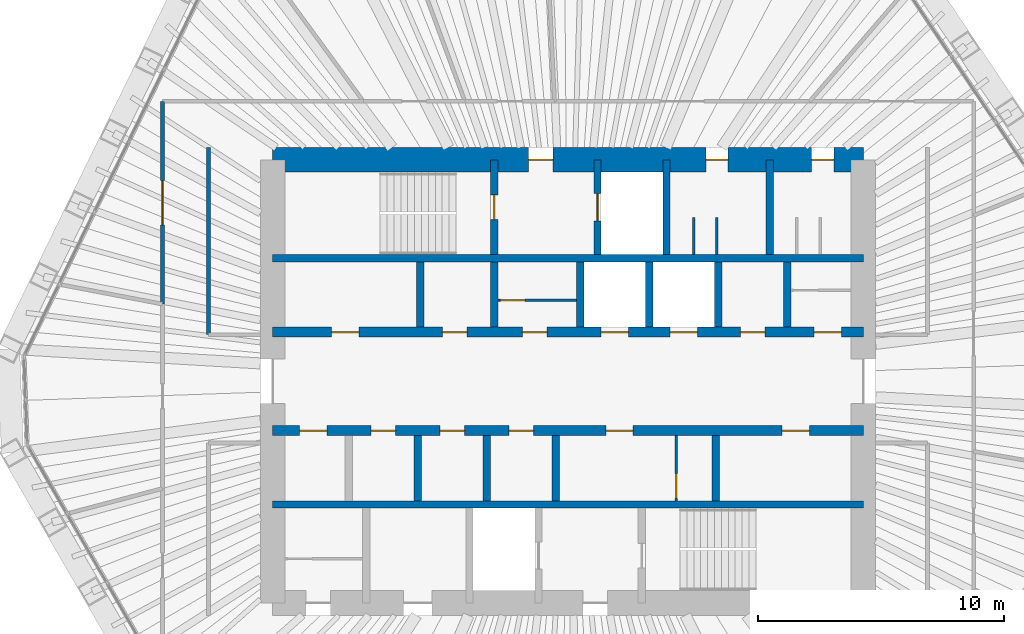
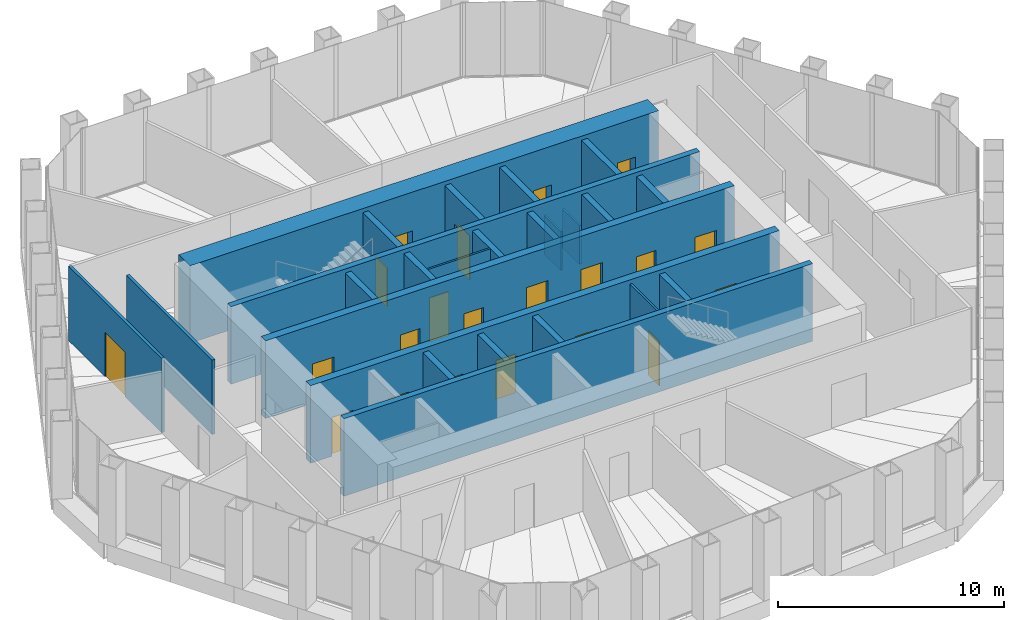
# One storey, part 12 of 14: 25 walls, 21 doors, 21 openings.
"""IFC4 building model written with IfcOpenShell, lengths in metres."""

from ifc_helpers import new_model, si_unit, direction, frame, frame_2d, origin, place, context, subcontext, project, spatial, rectangle, extrude, material, layer, layer_set, type_object, element, fill, save


model = new_model("IFC4")

# Units and contexts
model_context = context("Model", 3, precision=1e-05, world=origin(), true_north=direction((0.0, 1.0)))
body_context = subcontext(model_context, "Body", "Model", "MODEL_VIEW")
ifc_project = project(units=[si_unit("LENGTHUNIT", "METRE"), si_unit("AREAUNIT", "SQUARE_METRE"), si_unit("VOLUMEUNIT", "CUBIC_METRE"), si_unit("PLANEANGLEUNIT", "RADIAN"), si_unit("MASSUNIT", "GRAM", prefix="KILO")], contexts=[model_context])

# Site, building, storey
site_placement = place(None, origin())
site = spatial("IfcSite", under=ifc_project, at=site_placement, CompositionType="ELEMENT")
building_placement = place(site_placement, origin())
building = spatial("IfcBuilding", under=site, at=building_placement, Name="Qingtian Harvest Tower", CompositionType="ELEMENT")
storey_placement = place(building_placement, frame((0.0, 0.0, 270.39990234375)))
storey = spatial("IfcBuildingStorey", under=building, at=storey_placement, Name="L59", CompositionType="ELEMENT", Elevation=270.39990234375)

# Walls
ifc_material_1 = material(Name="Concrete fc' 70 MPa", Category="concrete")
ifc_layer_1 = layer(ifc_material_1, 0.300048828125)
ifc_layer_set_1 = layer_set([ifc_layer_1], Name="Core inner wall RC5 300")
wall_type_1 = type_object("IfcWallType", Name="Core inner wall RC5 300", PredefinedType="SHEAR", material=ifc_layer_set_1)
for number, where, z_axis, x_axis, name in (
    (1, (-12.0, 5.0, 0.0), (0.0, 0.0, 1.0), (1.0, 0.0, 0.0), "Core wall IN5 L59"),
    (2, (-12.0, -5.0, 0.0), (0.0, 0.0, 1.0), (1.0, 0.0, 0.0), "Core wall IS5 L59"),
):
    element("IfcWall", number, at=place(storey_placement, frame(where, z_axis=z_axis, x_axis=x_axis)), inside=storey, type_object=wall_type_1, Name=name, PredefinedType="SHEAR", context=body_context, shape_type="SweptSolid", body=[
        extrude(rectangle(XDim=24.0, YDim=0.300048828125, at=frame_2d((12.0, 0.0))), origin(), (0.0, 0.0, 1.0), 4.2001953125),
    ])

# Wall, openings, doors
ifc_material_2 = material(Name="Concrete fc' 70 MPa", Category="concrete")
ifc_layer_2 = layer(ifc_material_2, 0.39990234375)
ifc_layer_set_2 = layer_set([ifc_layer_2], Name="Core inner web RC6 400")
wall_type_2 = type_object("IfcWallType", Name="Core inner web RC6 400", PredefinedType="SHEAR", material=ifc_layer_set_2)
wall_1_placement = place(storey_placement, frame((-12.0, 2.0, 0.0), z_axis=(0.0, 0.0, 1.0), x_axis=(1.0, 0.0, 0.0)))
wall_1 = element("IfcWall", 3, at=wall_1_placement, inside=storey, type_object=wall_type_2, Name="Core wall IN2 L59", PredefinedType="SHEAR", context=body_context, shape_type="SweptSolid", body=[
    extrude(rectangle(XDim=24.0, YDim=0.39990234375, at=frame_2d((12.0, 0.0))), origin(), (0.0, 0.0, 1.0), 4.2001953125),
])
opening_1_placement = place(wall_1_placement, frame((2.39990234375, 0.0, 0.0)))
opening_1 = element("IfcOpeningElement", 4, at=opening_1_placement, cuts=wall_1, Name="Opening FD4", PredefinedType="OPENING", context=body_context, shape_type="SweptSolid", body=[
    extrude(rectangle(XDim=1.10009765625, YDim=2.10009765625, at=frame_2d((0.550048828125, 1.050048828125))), frame((0.0, 0.2099609375, 0.0), z_axis=(0.0, -1.0, 0.0), x_axis=(1.0, 0.0, 0.0)), (0.0, 0.0, 1.0), 0.419921875),
])
opening_2_placement = place(wall_1_placement, frame((22.0, 0.0, 0.0)))
opening_2 = element("IfcOpeningElement", 5, at=opening_2_placement, cuts=wall_1, Name="Opening FD4", PredefinedType="OPENING", context=body_context, shape_type="SweptSolid", body=[
    extrude(rectangle(XDim=1.10009765625, YDim=2.10009765625, at=frame_2d((0.550048828125, 1.050048828125))), frame((0.0, 0.2099609375, 0.0), z_axis=(0.0, -1.0, 0.0), x_axis=(1.0, 0.0, 0.0)), (0.0, 0.0, 1.0), 0.419921875),
])
opening_3_placement = place(wall_1_placement, frame((10.14990234375, 0.0, 0.0)))
opening_3 = element("IfcOpeningElement", 6, at=opening_3_placement, cuts=wall_1, Name="Opening FD1", PredefinedType="OPENING", context=body_context, shape_type="SweptSolid", body=[
    extrude(rectangle(XDim=1.0, YDim=2.10009765625, at=frame_2d((0.5, 1.050048828125))), frame((0.0, 0.2099609375, 0.0), z_axis=(0.0, -1.0, 0.0), x_axis=(1.0, 0.0, 0.0)), (0.0, 0.0, 1.0), 0.419921875),
])
opening_4_placement = place(wall_1_placement, frame((6.89990234375, 0.0, 0.0)))
opening_4 = element("IfcOpeningElement", 7, at=opening_4_placement, cuts=wall_1, Name="Opening FD1", PredefinedType="OPENING", context=body_context, shape_type="SweptSolid", body=[
    extrude(rectangle(XDim=1.0, YDim=2.10009765625, at=frame_2d((0.5, 1.050048828125))), frame((0.0, 0.2099609375, 0.0), z_axis=(0.0, -1.0, 0.0), x_axis=(1.0, 0.0, 0.0)), (0.0, 0.0, 1.0), 0.419921875),
])
opening_5_placement = place(wall_1_placement, frame((13.35009765625, 0.0, 0.0)))
opening_5 = element("IfcOpeningElement", 8, at=opening_5_placement, cuts=wall_1, Name="Opening LD1", PredefinedType="OPENING", context=body_context, shape_type="SweptSolid", body=[
    extrude(rectangle(XDim=1.10009765625, YDim=2.39990234375, at=frame_2d((0.550048828125, 1.199951171875))), frame((0.0, 0.2099609375, 0.0), z_axis=(0.0, -1.0, 0.0), x_axis=(1.0, 0.0, 0.0)), (0.0, 0.0, 1.0), 0.419921875),
])
opening_6_placement = place(wall_1_placement, frame((16.14990234375, 0.0, 0.0)))
opening_6 = element("IfcOpeningElement", 9, at=opening_6_placement, cuts=wall_1, Name="Opening LD1", PredefinedType="OPENING", context=body_context, shape_type="SweptSolid", body=[
    extrude(rectangle(XDim=1.10009765625, YDim=2.39990234375, at=frame_2d((0.550048828125, 1.199951171875))), frame((0.0, 0.2099609375, 0.0), z_axis=(0.0, -1.0, 0.0), x_axis=(1.0, 0.0, 0.0)), (0.0, 0.0, 1.0), 0.419921875),
])
opening_7_placement = place(wall_1_placement, frame((19.0, 0.0, 0.0)))
opening_7 = element("IfcOpeningElement", 10, at=opening_7_placement, cuts=wall_1, Name="Opening FD1", PredefinedType="OPENING", context=body_context, shape_type="SweptSolid", body=[
    extrude(rectangle(XDim=1.0, YDim=2.10009765625, at=frame_2d((0.5, 1.050048828125))), frame((0.0, 0.2099609375, 0.0), z_axis=(0.0, -1.0, 0.0), x_axis=(1.0, 0.0, 0.0)), (0.0, 0.0, 1.0), 0.419921875),
])
ifc_material_3 = material(Name="Steel-faced door leaf", Category="steel")
door_type_1 = type_object("IfcDoorType", Name="Fire door FD1 single 1 HR", OperationType="SINGLE_SWING_LEFT", PredefinedType="DOOR", material=ifc_material_3)
door_1_placement = place(opening_3_placement, origin())
door_1 = element("IfcDoor", 11, at=door_1_placement, inside=storey, type_object=door_type_1, Name="STA door L59", OperationType="SINGLE_SWING_RIGHT", OverallHeight=2.10009765625, OverallWidth=1.0, PredefinedType="DOOR", context=body_context, shape_type="SweptSolid", body=[
    extrude(rectangle(XDim=1.0, YDim=2.10009765625, at=frame_2d((0.5, 1.050048828125))), frame((0.0, 0.02490234375, 0.0), z_axis=(0.0, -1.0, 0.0), x_axis=(1.0, 0.0, 0.0)), (0.0, 0.0, 1.0), 0.050048828125),
])
fill(opening_3, door_1)
door_2_placement = place(opening_4_placement, origin())
door_2 = element("IfcDoor", 12, at=door_2_placement, inside=storey, type_object=door_type_1, Name="Staff WC door L59", OperationType="SINGLE_SWING_RIGHT", OverallHeight=2.10009765625, OverallWidth=1.0, PredefinedType="DOOR", context=body_context, shape_type="SweptSolid", body=[
    extrude(rectangle(XDim=1.0, YDim=2.10009765625, at=frame_2d((0.5, 1.050048828125))), frame((0.0, 0.02490234375, 0.0), z_axis=(0.0, -1.0, 0.0), x_axis=(1.0, 0.0, 0.0)), (0.0, 0.0, 1.0), 0.050048828125),
])
fill(opening_4, door_2)
door_3_placement = place(opening_7_placement, origin())
door_3 = element("IfcDoor", 13, at=door_3_placement, inside=storey, type_object=door_type_1, Name="Tool store door L59", OperationType="SINGLE_SWING_RIGHT", OverallHeight=2.10009765625, OverallWidth=1.0, PredefinedType="DOOR", context=body_context, shape_type="SweptSolid", body=[
    extrude(rectangle(XDim=1.0, YDim=2.10009765625, at=frame_2d((0.5, 1.050048828125))), frame((0.0, 0.02490234375, 0.0), z_axis=(0.0, -1.0, 0.0), x_axis=(1.0, 0.0, 0.0)), (0.0, 0.0, 1.0), 0.050048828125),
])
fill(opening_7, door_3)
ifc_material_4 = material(Name="Steel-faced door leaf", Category="steel")
door_type_2 = type_object("IfcDoorType", Name="Fire door FD4 single 2 HR", OperationType="SINGLE_SWING_LEFT", PredefinedType="DOOR", material=ifc_material_4)
door_4_placement = place(opening_1_placement, origin())
door_4 = element("IfcDoor", 14, at=door_4_placement, inside=storey, type_object=door_type_2, Name="RA door L59", OperationType="SINGLE_SWING_LEFT", OverallHeight=2.10009765625, OverallWidth=1.10009765625, PredefinedType="DOOR", context=body_context, shape_type="SweptSolid", body=[
    extrude(rectangle(XDim=1.10009765625, YDim=2.10009765625, at=frame_2d((0.550048828125, 1.050048828125))), frame((0.0, 0.02490234375, 0.0), z_axis=(0.0, -1.0, 0.0), x_axis=(1.0, 0.0, 0.0)), (0.0, 0.0, 1.0), 0.050048828125),
])
fill(opening_1, door_4)
door_5_placement = place(opening_2_placement, origin())
door_5 = element("IfcDoor", 15, at=door_5_placement, inside=storey, type_object=door_type_2, Name="AHU door L59", OperationType="SINGLE_SWING_LEFT", OverallHeight=2.10009765625, OverallWidth=1.10009765625, PredefinedType="DOOR", context=body_context, shape_type="SweptSolid", body=[
    extrude(rectangle(XDim=1.10009765625, YDim=2.10009765625, at=frame_2d((0.550048828125, 1.050048828125))), frame((0.0, 0.02490234375, 0.0), z_axis=(0.0, -1.0, 0.0), x_axis=(1.0, 0.0, 0.0)), (0.0, 0.0, 1.0), 0.050048828125),
])
fill(opening_2, door_5)
ifc_material_5 = material(Name="Stainless steel lift landing door", Category="steel")
door_type_3 = type_object("IfcDoorType", Name="Lift landing door LD1 1 HR", OperationType="DOUBLE_DOOR_SLIDING", PredefinedType="DOOR", material=ifc_material_5)
door_6_placement = place(opening_5_placement, origin())
door_6 = element("IfcDoor", 16, at=door_6_placement, inside=storey, type_object=door_type_3, Name="PLD1 landing door L59", OperationType="DOUBLE_DOOR_SLIDING", OverallHeight=2.39990234375, OverallWidth=1.10009765625, PredefinedType="DOOR", context=body_context, shape_type="SweptSolid", body=[
    extrude(rectangle(XDim=1.10009765625, YDim=2.39990234375, at=frame_2d((0.550048828125, 1.199951171875))), frame((0.0, 0.02490234375, 0.0), z_axis=(0.0, -1.0, 0.0), x_axis=(1.0, 0.0, 0.0)), (0.0, 0.0, 1.0), 0.050048828125),
])
fill(opening_5, door_6)
door_7_placement = place(opening_6_placement, origin())
door_7 = element("IfcDoor", 17, at=door_7_placement, inside=storey, type_object=door_type_3, Name="PLD2 landing door L59", OperationType="DOUBLE_DOOR_SLIDING", OverallHeight=2.39990234375, OverallWidth=1.10009765625, PredefinedType="DOOR", context=body_context, shape_type="SweptSolid", body=[
    extrude(rectangle(XDim=1.10009765625, YDim=2.39990234375, at=frame_2d((0.550048828125, 1.199951171875))), frame((0.0, 0.02490234375, 0.0), z_axis=(0.0, -1.0, 0.0), x_axis=(1.0, 0.0, 0.0)), (0.0, 0.0, 1.0), 0.050048828125),
])
fill(opening_6, door_7)

wall_2_placement = place(storey_placement, frame((-12.0, -2.0, 0.0), z_axis=(0.0, 0.0, 1.0), x_axis=(1.0, 0.0, 0.0)))
wall_2 = element("IfcWall", 18, at=wall_2_placement, inside=storey, type_object=wall_type_2, Name="Core wall IS2 L59", PredefinedType="SHEAR", context=body_context, shape_type="SweptSolid", body=[
    extrude(rectangle(XDim=24.0, YDim=0.39990234375, at=frame_2d((12.0, 0.0))), origin(), (0.0, 0.0, 1.0), 4.2001953125),
])
opening_8_placement = place(wall_2_placement, frame((1.10009765625, 0.0, 0.0)))
opening_8 = element("IfcOpeningElement", 19, at=opening_8_placement, cuts=wall_2, Name="Opening FD4", PredefinedType="OPENING", context=body_context, shape_type="SweptSolid", body=[
    extrude(rectangle(XDim=1.10009765625, YDim=2.10009765625, at=frame_2d((0.550048828125, 1.050048828125))), frame((0.0, 0.2099609375, 0.0), z_axis=(0.0, -1.0, 0.0), x_axis=(1.0, 0.0, 0.0)), (0.0, 0.0, 1.0), 0.419921875),
])
opening_9_placement = place(wall_2_placement, frame((13.550048828125, 0.0, 0.0)))
opening_9 = element("IfcOpeningElement", 20, at=opening_9_placement, cuts=wall_2, Name="Opening FD4", PredefinedType="OPENING", context=body_context, shape_type="SweptSolid", body=[
    extrude(rectangle(XDim=1.10009765625, YDim=2.10009765625, at=frame_2d((0.550048828125, 1.050048828125))), frame((0.0, 0.2099609375, 0.0), z_axis=(0.0, -1.0, 0.0), x_axis=(1.0, 0.0, 0.0)), (0.0, 0.0, 1.0), 0.419921875),
])
opening_10_placement = place(wall_2_placement, frame((20.699951171875, 0.0, 0.0)))
opening_10 = element("IfcOpeningElement", 21, at=opening_10_placement, cuts=wall_2, Name="Opening FD4", PredefinedType="OPENING", context=body_context, shape_type="SweptSolid", body=[
    extrude(rectangle(XDim=1.10009765625, YDim=2.10009765625, at=frame_2d((0.550048828125, 1.050048828125))), frame((0.0, 0.2099609375, 0.0), z_axis=(0.0, -1.0, 0.0), x_axis=(1.0, 0.0, 0.0)), (0.0, 0.0, 1.0), 0.419921875),
])
opening_11_placement = place(wall_2_placement, frame((4.0, 0.0, 0.0)))
opening_11 = element("IfcOpeningElement", 22, at=opening_11_placement, cuts=wall_2, Name="Opening FD1", PredefinedType="OPENING", context=body_context, shape_type="SweptSolid", body=[
    extrude(rectangle(XDim=1.0, YDim=2.10009765625, at=frame_2d((0.5, 1.050048828125))), frame((0.0, 0.2099609375, 0.0), z_axis=(0.0, -1.0, 0.0), x_axis=(1.0, 0.0, 0.0)), (0.0, 0.0, 1.0), 0.419921875),
])
opening_12_placement = place(wall_2_placement, frame((6.800048828125, 0.0, 0.0)))
opening_12 = element("IfcOpeningElement", 23, at=opening_12_placement, cuts=wall_2, Name="Opening FD1", PredefinedType="OPENING", context=body_context, shape_type="SweptSolid", body=[
    extrude(rectangle(XDim=1.0, YDim=2.10009765625, at=frame_2d((0.5, 1.050048828125))), frame((0.0, 0.2099609375, 0.0), z_axis=(0.0, -1.0, 0.0), x_axis=(1.0, 0.0, 0.0)), (0.0, 0.0, 1.0), 0.419921875),
])
opening_13_placement = place(wall_2_placement, frame((9.60009765625, 0.0, 0.0)))
opening_13 = element("IfcOpeningElement", 24, at=opening_13_placement, cuts=wall_2, Name="Opening FD1", PredefinedType="OPENING", context=body_context, shape_type="SweptSolid", body=[
    extrude(rectangle(XDim=1.0, YDim=2.10009765625, at=frame_2d((0.5, 1.050048828125))), frame((0.0, 0.2099609375, 0.0), z_axis=(0.0, -1.0, 0.0), x_axis=(1.0, 0.0, 0.0)), (0.0, 0.0, 1.0), 0.419921875),
])
door_8_placement = place(opening_11_placement, origin())
door_8 = element("IfcDoor", 25, at=door_8_placement, inside=storey, type_object=door_type_1, Name="IT room door L59", OperationType="SINGLE_SWING_RIGHT", OverallHeight=2.10009765625, OverallWidth=1.0, PredefinedType="DOOR", context=body_context, shape_type="SweptSolid", body=[
    extrude(rectangle(XDim=1.0, YDim=2.10009765625, at=frame_2d((0.5, 1.050048828125))), frame((0.0, 0.02490234375, 0.0), z_axis=(0.0, -1.0, 0.0), x_axis=(1.0, 0.0, 0.0)), (0.0, 0.0, 1.0), 0.050048828125),
])
fill(opening_11, door_8)
door_9_placement = place(opening_12_placement, origin())
door_9 = element("IfcDoor", 26, at=door_9_placement, inside=storey, type_object=door_type_1, Name="Store door L59", OperationType="SINGLE_SWING_RIGHT", OverallHeight=2.10009765625, OverallWidth=1.0, PredefinedType="DOOR", context=body_context, shape_type="SweptSolid", body=[
    extrude(rectangle(XDim=1.0, YDim=2.10009765625, at=frame_2d((0.5, 1.050048828125))), frame((0.0, 0.02490234375, 0.0), z_axis=(0.0, -1.0, 0.0), x_axis=(1.0, 0.0, 0.0)), (0.0, 0.0, 1.0), 0.050048828125),
])
fill(opening_12, door_9)
door_10_placement = place(opening_13_placement, origin())
door_10 = element("IfcDoor", 27, at=door_10_placement, inside=storey, type_object=door_type_1, Name="Pantry door L59", OperationType="SINGLE_SWING_RIGHT", OverallHeight=2.10009765625, OverallWidth=1.0, PredefinedType="DOOR", context=body_context, shape_type="SweptSolid", body=[
    extrude(rectangle(XDim=1.0, YDim=2.10009765625, at=frame_2d((0.5, 1.050048828125))), frame((0.0, 0.02490234375, 0.0), z_axis=(0.0, -1.0, 0.0), x_axis=(1.0, 0.0, 0.0)), (0.0, 0.0, 1.0), 0.050048828125),
])
fill(opening_13, door_10)
door_11_placement = place(opening_8_placement, origin())
door_11 = element("IfcDoor", 28, at=door_11_placement, inside=storey, type_object=door_type_2, Name="RB door L59", OperationType="SINGLE_SWING_LEFT", OverallHeight=2.10009765625, OverallWidth=1.10009765625, PredefinedType="DOOR", context=body_context, shape_type="SweptSolid", body=[
    extrude(rectangle(XDim=1.10009765625, YDim=2.10009765625, at=frame_2d((0.550048828125, 1.050048828125))), frame((0.0, 0.02490234375, 0.0), z_axis=(0.0, -1.0, 0.0), x_axis=(1.0, 0.0, 0.0)), (0.0, 0.0, 1.0), 0.050048828125),
])
fill(opening_8, door_11)
door_12_placement = place(opening_9_placement, origin())
door_12 = element("IfcDoor", 29, at=door_12_placement, inside=storey, type_object=door_type_2, Name="ELEC door L59", OperationType="SINGLE_SWING_RIGHT", OverallHeight=2.10009765625, OverallWidth=1.10009765625, PredefinedType="DOOR", context=body_context, shape_type="SweptSolid", body=[
    extrude(rectangle(XDim=1.10009765625, YDim=2.10009765625, at=frame_2d((0.550048828125, 1.050048828125))), frame((0.0, 0.02490234375, 0.0), z_axis=(0.0, -1.0, 0.0), x_axis=(1.0, 0.0, 0.0)), (0.0, 0.0, 1.0), 0.050048828125),
])
fill(opening_9, door_12)
door_13_placement = place(opening_10_placement, origin())
door_13 = element("IfcDoor", 30, at=door_13_placement, inside=storey, type_object=door_type_2, Name="DUCT door L59", OperationType="SINGLE_SWING_LEFT", OverallHeight=2.10009765625, OverallWidth=1.10009765625, PredefinedType="DOOR", context=body_context, shape_type="SweptSolid", body=[
    extrude(rectangle(XDim=1.10009765625, YDim=2.10009765625, at=frame_2d((0.550048828125, 1.050048828125))), frame((0.0, 0.02490234375, 0.0), z_axis=(0.0, -1.0, 0.0), x_axis=(1.0, 0.0, 0.0)), (0.0, 0.0, 1.0), 0.050048828125),
])
fill(opening_10, door_13)

# Wall, opening, door
ifc_material_6 = material(Name="Precast concrete shaft panel", Category="concrete")
ifc_layer_3 = layer(ifc_material_6, 0.300048828125)
ifc_layer_set_3 = layer_set([ifc_layer_3], Name="Core shaft partition SW1 300")
wall_type_3 = type_object("IfcWallType", Name="Core shaft partition SW1 300", PredefinedType="PARTITIONING", material=ifc_layer_set_3)
wall_3_placement = place(storey_placement, frame((-3.0, 5.14990234375, 0.0), z_axis=(0.0, 0.0, 1.0), x_axis=(0.0, 1.0, 0.0)))
wall_3 = element("IfcWall", 31, at=wall_3_placement, inside=storey, type_object=wall_type_3, Name="Core shaft partition XN1 L59", PredefinedType="PARTITIONING", context=body_context, shape_type="SweptSolid", body=[
    extrude(rectangle(XDim=3.85009765625, YDim=0.300048828125, at=frame_2d((1.925048828125, 0.0))), origin(), (0.0, 0.0, 1.0), 3.97998046875),
])
opening_14_placement = place(wall_3_placement, frame((1.425048828125, 0.0, 0.0)))
opening_14 = element("IfcOpeningElement", 32, at=opening_14_placement, cuts=wall_3, Name="Opening FD1", PredefinedType="OPENING", context=body_context, shape_type="SweptSolid", body=[
    extrude(rectangle(XDim=1.0, YDim=2.10009765625, at=frame_2d((0.5, 1.050048828125))), frame((0.0, 0.159912109375, 0.0), z_axis=(0.0, -1.0, 0.0), x_axis=(1.0, 0.0, 0.0)), (0.0, 0.0, 1.0), 0.320068359375),
])
door_14_placement = place(opening_14_placement, origin())
door_14 = element("IfcDoor", 33, at=door_14_placement, inside=storey, type_object=door_type_1, Name="S1 door L59", OperationType="SINGLE_SWING_LEFT", OverallHeight=2.10009765625, OverallWidth=1.0, PredefinedType="DOOR", context=body_context, shape_type="SweptSolid", body=[
    extrude(rectangle(XDim=1.0, YDim=2.10009765625, at=frame_2d((0.5, 1.050048828125))), frame((0.0, 0.02490234375, 0.0), z_axis=(0.0, -1.0, 0.0), x_axis=(1.0, 0.0, 0.0)), (0.0, 0.0, 1.0), 0.050048828125),
])
fill(opening_14, door_14)

wall_4_placement = place(storey_placement, frame((1.199951171875, 5.14990234375, 0.0), z_axis=(0.0, 0.0, 1.0), x_axis=(0.0, 1.0, 0.0)))
wall_4 = element("IfcWall", 34, at=wall_4_placement, inside=storey, type_object=wall_type_3, Name="Core shaft partition XN2 L59", PredefinedType="PARTITIONING", context=body_context, shape_type="SweptSolid", body=[
    extrude(rectangle(XDim=3.85009765625, YDim=0.300048828125, at=frame_2d((1.925048828125, 0.0))), origin(), (0.0, 0.0, 1.0), 3.97998046875),
])
opening_15_placement = place(wall_4_placement, frame((1.375, 0.0, 0.0)))
opening_15 = element("IfcOpeningElement", 35, at=opening_15_placement, cuts=wall_4, Name="Opening LD1", PredefinedType="OPENING", context=body_context, shape_type="SweptSolid", body=[
    extrude(rectangle(XDim=1.10009765625, YDim=2.39990234375, at=frame_2d((0.550048828125, 1.199951171875))), frame((0.0, 0.159912109375, 0.0), z_axis=(0.0, -1.0, 0.0), x_axis=(1.0, 0.0, 0.0)), (0.0, 0.0, 1.0), 0.320068359375),
])
door_15_placement = place(opening_15_placement, origin())
door_15 = element("IfcDoor", 36, at=door_15_placement, inside=storey, type_object=door_type_3, Name="FL1 landing door L59", OperationType="DOUBLE_DOOR_SLIDING", OverallHeight=2.39990234375, OverallWidth=1.10009765625, PredefinedType="DOOR", context=body_context, shape_type="SweptSolid", body=[
    extrude(rectangle(XDim=1.10009765625, YDim=2.39990234375, at=frame_2d((0.550048828125, 1.199951171875))), frame((0.0, 0.02490234375, 0.0), z_axis=(0.0, -1.0, 0.0), x_axis=(1.0, 0.0, 0.0)), (0.0, 0.0, 1.0), 0.050048828125),
])
fill(opening_15, door_15)

# Walls
for number, where, z_axis, x_axis, name in (
    (37, (4.0, 5.14990234375, 0.0), (0.0, 0.0, 1.0), (0.0, 1.0, 0.0), "Core shaft partition XN3 L59"),
    (38, (8.199951171875, 5.14990234375, 0.0), (0.0, 0.0, 1.0), (0.0, 1.0, 0.0), "Core shaft partition XN4 L59"),
):
    element("IfcWall", number, at=place(storey_placement, frame(where, z_axis=z_axis, x_axis=x_axis)), inside=storey, type_object=wall_type_3, Name=name, PredefinedType="PARTITIONING", context=body_context, shape_type="SweptSolid", body=[
        extrude(rectangle(XDim=3.85009765625, YDim=0.300048828125, at=frame_2d((1.925048828125, 0.0))), origin(), (0.0, 0.0, 1.0), 3.97998046875),
    ])
for number, where, z_axis, x_axis, name in (
    (39, (-6.0, 2.199951171875, 0.0), (0.0, 0.0, 1.0), (0.0, 1.0, 0.0), "Core shaft partition XA1 L59"),
    (40, (-3.0, 2.199951171875, 0.0), (0.0, 0.0, 1.0), (0.0, 1.0, 0.0), "Core shaft partition XA2 L59"),
    (41, (0.5, 2.199951171875, 0.0), (0.0, 0.0, 1.0), (0.0, 1.0, 0.0), "Core shaft partition XA3 L59"),
    (42, (3.300048828125, 2.199951171875, 0.0), (0.0, 0.0, 1.0), (0.0, 1.0, 0.0), "Core shaft partition XA4 L59"),
    (43, (6.10009765625, 2.199951171875, 0.0), (0.0, 0.0, 1.0), (0.0, 1.0, 0.0), "Core shaft partition XA5 L59"),
    (44, (8.89990234375, 2.199951171875, 0.0), (0.0, 0.0, 1.0), (0.0, 1.0, 0.0), "Core shaft partition XA6 L59"),
    (45, (-6.10009765625, -4.85009765625, 0.0), (0.0, 0.0, 1.0), (0.0, 1.0, 0.0), "Core shaft partition XB2 L59"),
    (46, (-3.300048828125, -4.85009765625, 0.0), (0.0, 0.0, 1.0), (0.0, 1.0, 0.0), "Core shaft partition XB3 L59"),
    (47, (-0.5, -4.85009765625, 0.0), (0.0, 0.0, 1.0), (0.0, 1.0, 0.0), "Core shaft partition XB4 L59"),
    (48, (6.0, -4.85009765625, 0.0), (0.0, 0.0, 1.0), (0.0, 1.0, 0.0), "Core shaft partition XB5 L59"),
):
    element("IfcWall", number, at=place(storey_placement, frame(where, z_axis=z_axis, x_axis=x_axis)), inside=storey, type_object=wall_type_3, Name=name, PredefinedType="PARTITIONING", context=body_context, shape_type="SweptSolid", body=[
        extrude(rectangle(XDim=2.650146484375, YDim=0.300048828125, at=frame_2d((1.3251953125, 0.0))), origin(), (0.0, 0.0, 1.0), 3.97998046875),
    ])

# Wall, openings, doors
ifc_material_7 = material(Name="Concrete fc' 70 MPa", Category="concrete")
ifc_layer_4 = layer(ifc_material_7, 1.0)
ifc_layer_set_4 = layer_set([ifc_layer_4], Name="Core wall RC3 1000")
wall_type_4 = type_object("IfcWallType", Name="Core wall RC3 1000", PredefinedType="SHEAR", material=ifc_layer_set_4)
wall_5_placement = place(storey_placement, frame((-12.0, 9.0, 0.0), z_axis=(0.0, 0.0, 1.0), x_axis=(1.0, 0.0, 0.0)))
wall_5 = element("IfcWall", 49, at=wall_5_placement, inside=storey, type_object=wall_type_4, Name="Core wall CN L59", PredefinedType="SHEAR", context=body_context, shape_type="SweptSolid", body=[
    extrude(rectangle(XDim=24.0, YDim=1.0, at=frame_2d((12.0, 0.0))), origin(), (0.0, 0.0, 1.0), 4.2001953125),
])
opening_16_placement = place(wall_5_placement, frame((10.39990234375, 0.0, 0.0)))
opening_16 = element("IfcOpeningElement", 50, at=opening_16_placement, cuts=wall_5, Name="Opening FD1", PredefinedType="OPENING", context=body_context, shape_type="SweptSolid", body=[
    extrude(rectangle(XDim=1.0, YDim=2.10009765625, at=frame_2d((0.5, 1.050048828125))), frame((0.0, 0.510009765625, 0.0), z_axis=(0.0, -1.0, 0.0), x_axis=(1.0, 0.0, 0.0)), (0.0, 0.0, 1.0), 1.02001953125),
])
opening_17_placement = place(wall_5_placement, frame((17.60009765625, 0.0, 0.0)))
opening_17 = element("IfcOpeningElement", 51, at=opening_17_placement, cuts=wall_5, Name="Opening D1", PredefinedType="OPENING", context=body_context, shape_type="SweptSolid", body=[
    extrude(rectangle(XDim=0.89990234375, YDim=2.10009765625, at=frame_2d((0.449951171875, 1.050048828125))), frame((0.0, 0.510009765625, 0.0), z_axis=(0.0, -1.0, 0.0), x_axis=(1.0, 0.0, 0.0)), (0.0, 0.0, 1.0), 1.02001953125),
])
opening_18_placement = place(wall_5_placement, frame((21.89990234375, 0.0, 0.0)))
opening_18 = element("IfcOpeningElement", 52, at=opening_18_placement, cuts=wall_5, Name="Opening D1", PredefinedType="OPENING", context=body_context, shape_type="SweptSolid", body=[
    extrude(rectangle(XDim=0.89990234375, YDim=2.10009765625, at=frame_2d((0.449951171875, 1.050048828125))), frame((0.0, 0.510009765625, 0.0), z_axis=(0.0, -1.0, 0.0), x_axis=(1.0, 0.0, 0.0)), (0.0, 0.0, 1.0), 1.02001953125),
])
door_16_placement = place(opening_16_placement, origin())
door_16 = element("IfcDoor", 53, at=door_16_placement, inside=storey, type_object=door_type_1, Name="V1 door L59", OperationType="SINGLE_SWING_LEFT", OverallHeight=2.10009765625, OverallWidth=1.0, PredefinedType="DOOR", context=body_context, shape_type="SweptSolid", body=[
    extrude(rectangle(XDim=1.0, YDim=2.10009765625, at=frame_2d((0.5, 1.050048828125))), frame((0.0, 0.02490234375, 0.0), z_axis=(0.0, -1.0, 0.0), x_axis=(1.0, 0.0, 0.0)), (0.0, 0.0, 1.0), 0.050048828125),
])
fill(opening_16, door_16)
ifc_material_8 = material(Name="Laminated timber door leaf", Category="wood")
door_type_4 = type_object("IfcDoorType", Name="Toilet door D1 single", OperationType="SINGLE_SWING_LEFT", PredefinedType="DOOR", material=ifc_material_8)
door_17_placement = place(opening_17_placement, origin())
door_17 = element("IfcDoor", 54, at=door_17_placement, inside=storey, type_object=door_type_4, Name="WCM door L59", OperationType="SINGLE_SWING_RIGHT", OverallHeight=2.10009765625, OverallWidth=0.89990234375, PredefinedType="DOOR", context=body_context, shape_type="SweptSolid", body=[
    extrude(rectangle(XDim=0.89990234375, YDim=2.10009765625, at=frame_2d((0.449951171875, 1.050048828125))), frame((0.0, 0.02490234375, 0.0), z_axis=(0.0, -1.0, 0.0), x_axis=(1.0, 0.0, 0.0)), (0.0, 0.0, 1.0), 0.050048828125),
])
fill(opening_17, door_17)
door_18_placement = place(opening_18_placement, origin())
door_18 = element("IfcDoor", 55, at=door_18_placement, inside=storey, type_object=door_type_4, Name="WCF door L59", OperationType="SINGLE_SWING_RIGHT", OverallHeight=2.10009765625, OverallWidth=0.89990234375, PredefinedType="DOOR", context=body_context, shape_type="SweptSolid", body=[
    extrude(rectangle(XDim=0.89990234375, YDim=2.10009765625, at=frame_2d((0.449951171875, 1.050048828125))), frame((0.0, 0.02490234375, 0.0), z_axis=(0.0, -1.0, 0.0), x_axis=(1.0, 0.0, 0.0)), (0.0, 0.0, 1.0), 0.050048828125),
])
fill(opening_18, door_18)

# Wall, opening, door
ifc_material_9 = material(Name="Gypsum board on steel studs", Category="steel")
ifc_layer_5 = layer(ifc_material_9, 0.14990234375)
ifc_layer_set_5 = layer_set([ifc_layer_5], Name="Partition PT1 150")
wall_type_5 = type_object("IfcWallType", Name="Partition PT1 150", PredefinedType="PARTITIONING", material=ifc_layer_set_5)
wall_6_placement = place(storey_placement, frame((-16.47509765625, 3.140869140625, 0.0), z_axis=(0.0, 0.0, 1.0), x_axis=(0.0, 1.0, 0.0)))
wall_6 = element("IfcWall", 56, at=wall_6_placement, inside=storey, type_object=wall_type_5, Name="Workplace zone wall L59", PredefinedType="PARTITIONING", context=body_context, shape_type="SweptSolid", body=[
    extrude(rectangle(XDim=8.234130859375, YDim=0.14990234375, at=frame_2d((4.1171875, 0.0))), origin(), (0.0, 0.0, 1.0), 4.030029296875),
])
opening_19_placement = place(wall_6_placement, frame((3.217041015625, 0.0, 0.0)))
opening_19 = element("IfcOpeningElement", 57, at=opening_19_placement, cuts=wall_6, Name="Opening D3", PredefinedType="OPENING", context=body_context, shape_type="SweptSolid", body=[
    extrude(rectangle(XDim=1.800048828125, YDim=2.39990234375, at=frame_2d((0.89990234375, 1.199951171875))), frame((0.0, 0.0849609375, 0.0), z_axis=(0.0, -1.0, 0.0), x_axis=(1.0, 0.0, 0.0)), (0.0, 0.0, 1.0), 0.169921875),
])
ifc_material_10 = material(Name="Laminated timber door leaf", Category="wood")
door_type_5 = type_object("IfcDoorType", Name="Room door D3 double", OperationType="DOUBLE_DOOR_DOUBLE_SWING", PredefinedType="DOOR", material=ifc_material_10)
door_19_placement = place(opening_19_placement, origin())
door_19 = element("IfcDoor", 58, at=door_19_placement, inside=storey, type_object=door_type_5, Name="Workplace zone door L59", OperationType="DOUBLE_DOOR_DOUBLE_SWING", OverallHeight=2.39990234375, OverallWidth=1.800048828125, PredefinedType="DOOR", context=body_context, shape_type="SweptSolid", body=[
    extrude(rectangle(XDim=1.800048828125, YDim=2.39990234375, at=frame_2d((0.89990234375, 1.199951171875))), frame((0.0, 0.02490234375, 0.0), z_axis=(0.0, -1.0, 0.0), x_axis=(1.0, 0.0, 0.0)), (0.0, 0.0, 1.0), 0.050048828125),
])
fill(opening_19, door_19)

# Wall
wall_7_placement = place(storey_placement, frame((-14.60009765625, 1.89990234375, 0.0), z_axis=(0.0, 0.0, 1.0), x_axis=(0.0, 1.0, 0.0)))
element("IfcWall", 59, at=wall_7_placement, inside=storey, type_object=wall_type_5, Name="Breakout space wall L59", PredefinedType="PARTITIONING", context=body_context, shape_type="SweptSolid", body=[
    extrude(rectangle(XDim=7.60009765625, YDim=0.14990234375, at=frame_2d((3.800048828125, 0.0))), origin(), (0.0, 0.0, 1.0), 4.030029296875),
])

# Wall, opening, door
ifc_material_11 = material(Name="Concrete block partition", Category="concrete")
ifc_layer_6 = layer(ifc_material_11, 0.10009765625)
ifc_layer_set_6 = layer_set([ifc_layer_6], Name="Store partition PT3 100")
wall_type_6 = type_object("IfcWallType", Name="Store partition PT3 100", PredefinedType="PARTITIONING", material=ifc_layer_set_6)
wall_8_placement = place(storey_placement, frame((-2.85009765625, 3.300048828125, 0.0), z_axis=(0.0, 0.0, 1.0), x_axis=(1.0, 0.0, 0.0)))
wall_8 = element("IfcWall", 60, at=wall_8_placement, inside=storey, type_object=wall_type_6, Name="Stationery store wall L59", PredefinedType="PARTITIONING", context=body_context, shape_type="SweptSolid", body=[
    extrude(rectangle(XDim=3.2001953125, YDim=0.10009765625, at=frame_2d((1.60009765625, 0.0))), origin(), (0.0, 0.0, 1.0), 3.97998046875),
])
opening_20_placement = place(wall_8_placement, frame((0.10009765625, 0.0, 0.0)))
opening_20 = element("IfcOpeningElement", 61, at=opening_20_placement, cuts=wall_8, Name="Opening D2", PredefinedType="OPENING", context=body_context, shape_type="SweptSolid", body=[
    extrude(rectangle(XDim=1.0, YDim=2.39990234375, at=frame_2d((0.5, 1.199951171875))), frame((0.0, 0.06005859375, 0.0), z_axis=(0.0, -1.0, 0.0), x_axis=(1.0, 0.0, 0.0)), (0.0, 0.0, 1.0), 0.1201171875),
])
ifc_material_12 = material(Name="Laminated timber door leaf", Category="wood")
door_type_6 = type_object("IfcDoorType", Name="Room door D2 single", OperationType="SINGLE_SWING_LEFT", PredefinedType="DOOR", material=ifc_material_12)
door_20_placement = place(opening_20_placement, origin())
door_20 = element("IfcDoor", 62, at=door_20_placement, inside=storey, type_object=door_type_6, Name="Stationery store door L59", OperationType="SINGLE_SWING_RIGHT", OverallHeight=2.39990234375, OverallWidth=1.0, PredefinedType="DOOR", context=body_context, shape_type="SweptSolid", body=[
    extrude(rectangle(XDim=1.0, YDim=2.39990234375, at=frame_2d((0.5, 1.199951171875))), frame((0.0, 0.02490234375, 0.0), z_axis=(0.0, -1.0, 0.0), x_axis=(1.0, 0.0, 0.0)), (0.0, 0.0, 1.0), 0.050048828125),
])
fill(opening_20, door_20)

wall_9_placement = place(storey_placement, frame((4.39990234375, -4.85009765625, 0.0), z_axis=(0.0, 0.0, 1.0), x_axis=(0.0, 1.0, 0.0)))
wall_9 = element("IfcWall", 63, at=wall_9_placement, inside=storey, type_object=wall_type_6, Name="Comms room wall L59", PredefinedType="PARTITIONING", context=body_context, shape_type="SweptSolid", body=[
    extrude(rectangle(XDim=2.650146484375, YDim=0.10009765625, at=frame_2d((1.3251953125, 0.0))), origin(), (0.0, 0.0, 1.0), 3.97998046875),
])
opening_21_placement = place(wall_9_placement, frame((0.10009765625, 0.0, 0.0)))
opening_21 = element("IfcOpeningElement", 64, at=opening_21_placement, cuts=wall_9, Name="Opening D2", PredefinedType="OPENING", context=body_context, shape_type="SweptSolid", body=[
    extrude(rectangle(XDim=1.0, YDim=2.39990234375, at=frame_2d((0.5, 1.199951171875))), frame((0.0, 0.06005859375, 0.0), z_axis=(0.0, -1.0, 0.0), x_axis=(1.0, 0.0, 0.0)), (0.0, 0.0, 1.0), 0.1201171875),
])
door_21_placement = place(opening_21_placement, origin())
door_21 = element("IfcDoor", 65, at=door_21_placement, inside=storey, type_object=door_type_6, Name="Comms room door L59", OperationType="SINGLE_SWING_LEFT", OverallHeight=2.39990234375, OverallWidth=1.0, PredefinedType="DOOR", context=body_context, shape_type="SweptSolid", body=[
    extrude(rectangle(XDim=1.0, YDim=2.39990234375, at=frame_2d((0.5, 1.199951171875))), frame((0.0, 0.02490234375, 0.0), z_axis=(0.0, -1.0, 0.0), x_axis=(1.0, 0.0, 0.0)), (0.0, 0.0, 1.0), 0.050048828125),
])
fill(opening_21, door_21)

# Walls
ifc_material_13 = material(Name="Compact laminate cubicle partition", Category="plastic")
ifc_layer_7 = layer(ifc_material_13, 0.10009765625)
ifc_layer_set_7 = layer_set([ifc_layer_7], Name="WC cubicle partition WP1 100")
wall_type_7 = type_object("IfcWallType", Name="WC cubicle partition WP1 100", PredefinedType="PARTITIONING", material=ifc_layer_set_7)
for number, where, z_axis, x_axis, name in (
    (66, (5.10009765625, 5.14990234375, 0.0), (0.0, 0.0, 1.0), (0.0, 1.0, 0.0), "WC cubicle partition WCM L59"),
    (67, (6.050048828125, 5.14990234375, 0.0), (0.0, 0.0, 1.0), (0.0, 1.0, 0.0), "WC cubicle partition WCM L59"),
):
    element("IfcWall", number, at=place(storey_placement, frame(where, z_axis=z_axis, x_axis=x_axis)), inside=storey, type_object=wall_type_7, Name=name, PredefinedType="PARTITIONING", context=body_context, shape_type="SweptSolid", body=[
        extrude(rectangle(XDim=1.5, YDim=0.10009765625, at=frame_2d((0.75, 0.0))), origin(), (0.0, 0.0, 1.0), 2.10009765625),
    ])

save(model, "model.ifc")
